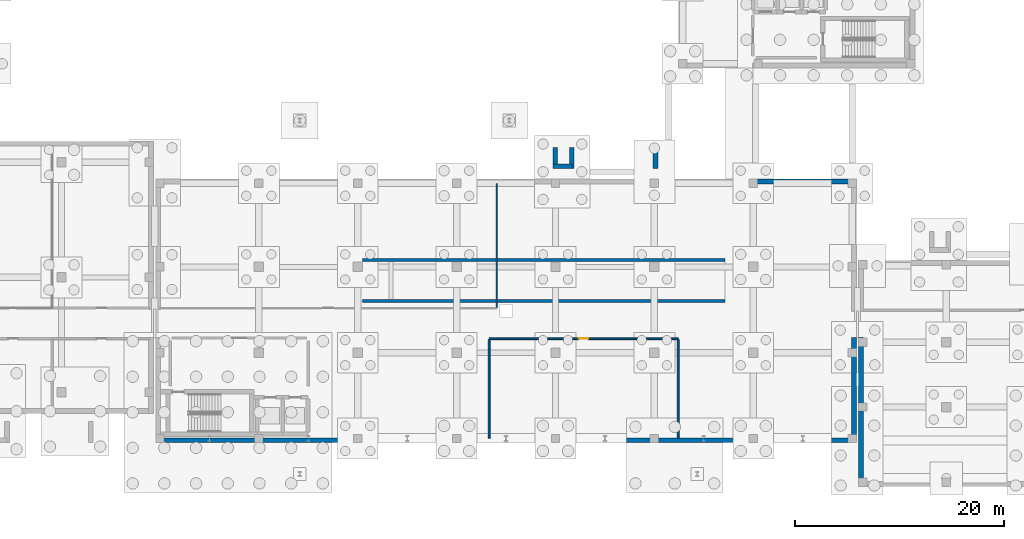
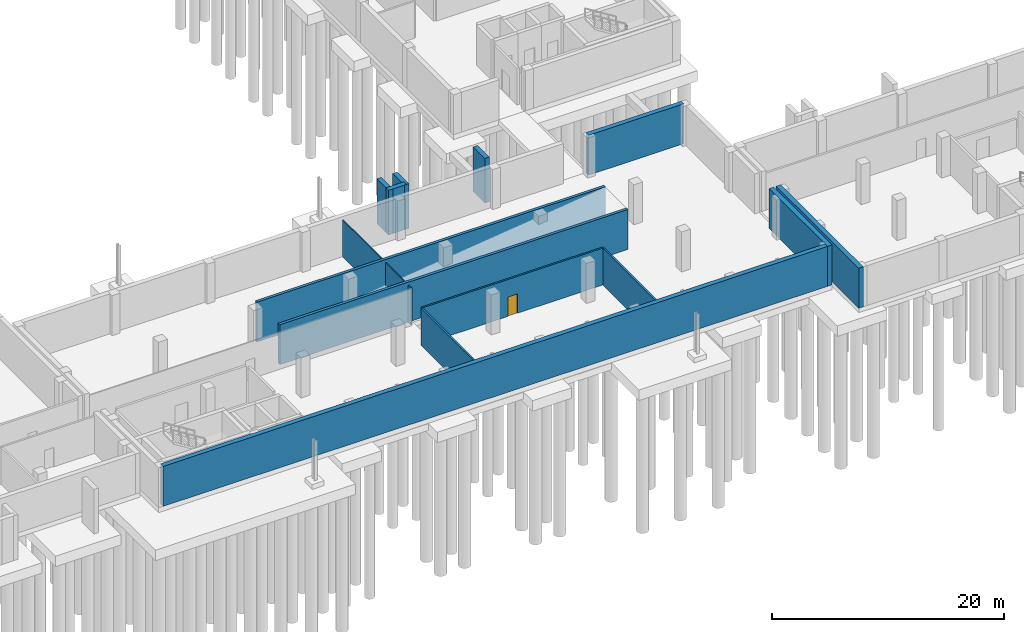
# One storey, part 17 of 31: 14 walls, 1 door, 1 opening.
"""IFC4 building model written with IfcOpenShell, lengths in metres."""

from ifc_helpers import new_model, si_unit, direction, frame, frame_2d, origin, place, context, subcontext, project, spatial, rectangle, extrude, material, layer, layer_set, type_object, element, fill, save


model = new_model("IFC4")

# Units and contexts
model_context = context("Model", 3, precision=1e-05, world=origin(), true_north=direction((0.0, 1.0)))
body_context = subcontext(model_context, "Body", "Model", "MODEL_VIEW")
ifc_project = project(units=[si_unit("LENGTHUNIT", "METRE"), si_unit("AREAUNIT", "SQUARE_METRE"), si_unit("VOLUMEUNIT", "CUBIC_METRE"), si_unit("PLANEANGLEUNIT", "RADIAN"), si_unit("MASSUNIT", "GRAM", prefix="KILO")], contexts=[model_context])

# Site, building, storey
site_placement = place(None, origin())
site = spatial("IfcSite", under=ifc_project, at=site_placement, CompositionType="ELEMENT")
building_placement = place(site_placement, origin())
building = spatial("IfcBuilding", under=site, at=building_placement, Name="Qalavern Law Courts", CompositionType="ELEMENT")
storey_placement = place(building_placement, frame((0.0, 0.0, -8.39990234375)))
storey = spatial("IfcBuildingStorey", under=building, at=storey_placement, Name="B2", CompositionType="ELEMENT", Elevation=-8.39990234375)

# Walls
ifc_material_1 = material(Name="Concrete C35/45", Category="concrete")
ifc_layer_1 = layer(ifc_material_1, 0.4599609375)
ifc_layer_set_1 = layer_set([ifc_layer_1], Name="Concrete C35/45")
wall_type_1 = type_object("IfcWallType", Name="ENV-EW-RET460", PredefinedType="SOLIDWALL", material=ifc_layer_set_1)
wall_1_placement = place(storey_placement, frame((34.675048828125, 5.429931640625, 0.0), z_axis=(0.0, 0.0, 1.0), x_axis=(1.0, 0.0, 0.0)))
element("IfcWall", 1, at=wall_1_placement, inside=storey, type_object=wall_type_1, Name="V2 basement retaining wall B2 south", PredefinedType="SOLIDWALL", context=body_context, shape_type="SweptSolid", body=[
    extrude(rectangle(XDim=66.070068359375, YDim=0.4599609375, at=frame_2d((33.03515625, 0.0))), origin(), (0.0, 0.0, 1.0), 4.199951171875),
])
wall_2_placement = place(storey_placement, frame((100.969970703125, 5.199951171875, 0.0), z_axis=(0.0, 0.0, 1.0), x_axis=(0.0, 1.0, 0.0)))
element("IfcWall", 2, at=wall_2_placement, inside=storey, type_object=wall_type_1, Name="V2 basement retaining wall B2 east", PredefinedType="SOLIDWALL", context=body_context, shape_type="SweptSolid", body=[
    extrude(rectangle(XDim=10.050048828125, YDim=0.4599609375, at=frame_2d((5.02490234375, 0.0))), origin(), (0.0, 0.0, 1.0), 4.199951171875),
])
wall_3_placement = place(storey_placement, frame((100.7451171875, 30.169921875, 0.0), z_axis=(0.0, 0.0, 1.0), x_axis=(-1.0, 0.0, 0.0)))
element("IfcWall", 3, at=wall_3_placement, inside=storey, type_object=wall_type_1, Name="V2 basement retaining wall B2 north", PredefinedType="SOLIDWALL", context=body_context, shape_type="SweptSolid", body=[
    extrude(rectangle(XDim=9.4951171875, YDim=0.4599609375, at=frame_2d((4.74755859375, 0.0))), origin(), (0.0, 0.0, 1.0), 4.199951171875),
])
wall_4_placement = place(storey_placement, frame((101.64990234375, 15.25, 0.0), z_axis=(0.0, 0.0, 1.0), x_axis=(0.0, -1.0, 0.0)))
element("IfcWall", 4, at=wall_4_placement, inside=storey, type_object=wall_type_1, Name="V6 basement retaining wall B2 west", PredefinedType="SOLIDWALL", context=body_context, shape_type="SweptSolid", body=[
    extrude(rectangle(XDim=14.25, YDim=0.4599609375, at=frame_2d((7.125, 0.0))), origin(), (0.0, 0.0, 1.0), 4.199951171875),
])
ifc_material_2 = material(Name="Gypsum stud partition")
ifc_layer_2 = layer(ifc_material_2, 0.112060546875)
ifc_layer_set_2 = layer_set([ifc_layer_2], Name="Gypsum stud partition")
wall_type_2 = type_object("IfcWallType", Name="INT-PW-112", PredefinedType="PARTITIONING", material=ifc_layer_set_2)
wall_5_placement = place(storey_placement, frame((66.824951171875, 18.135986328125, 0.0), z_axis=(0.0, 0.0, 1.0), x_axis=(0.0, 1.0, 0.0)))
element("IfcWall", 5, at=wall_5_placement, inside=storey, type_object=wall_type_2, Name="Accessible WC cross partition B2 east", PredefinedType="PARTITIONING", context=body_context, shape_type="SweptSolid", body=[
    extrude(rectangle(XDim=11.823974609375, YDim=0.112060546875, at=frame_2d((5.912109375, 0.0))), origin(), (0.0, 0.0, 1.0), 3.8798828125),
])

# Wall, opening, door
ifc_material_3 = material(Name="Gypsum acoustic stud partition")
ifc_layer_3 = layer(ifc_material_3, 0.174072265625)
ifc_layer_set_3 = layer_set([ifc_layer_3], Name="Gypsum acoustic stud partition")
wall_type_3 = type_object("IfcWallType", Name="INT-PW-174", PredefinedType="PARTITIONING", material=ifc_layer_set_3)
wall_6_placement = place(storey_placement, frame((66.087890625, 15.139892578125, 0.0), z_axis=(0.0, 0.0, 1.0), x_axis=(1.0, 0.0, 0.0)))
wall_6 = element("IfcWall", 6, at=wall_6_placement, inside=storey, type_object=wall_type_3, Name="Central Chiller and Heating Plant corridor partition B2", PredefinedType="PARTITIONING", context=body_context, shape_type="SweptSolid", body=[
    extrude(rectangle(XDim=18.071044921875, YDim=0.174072265625, at=frame_2d((9.03564453125, 0.0))), origin(), (0.0, 0.0, 1.0), 3.8798828125),
])
opening_placement = place(wall_6_placement, frame((8.58056640625, 0.0, 0.0)))
opening = element("IfcOpeningElement", 7, at=opening_placement, cuts=wall_6, Name="Opening B2-D152", PredefinedType="OPENING", context=body_context, shape_type="SweptSolid", body=[
    extrude(rectangle(XDim=0.909912109375, YDim=2.0400390625, at=frame_2d((0.455078125, 1.02001953125))), frame((0.0, 0.10205078125, 0.0), z_axis=(0.0, -1.0, 0.0), x_axis=(1.0, 0.0, 0.0)), (0.0, 0.0, 1.0), 0.203857421875),
])
ifc_material_4 = material(Name="Steel MEP Plant Room door", Category="steel")
door_type = type_object("IfcDoorType", Name="INT-ID-910x2040", OperationType="NOTDEFINED", PredefinedType="DOOR", material=ifc_material_4)
door_placement = place(opening_placement, frame((0.909912109375, 0.0, 0.0), z_axis=(0.0, 0.0, 1.0), x_axis=(-1.0, 0.0, 0.0)))
door = element("IfcDoor", 8, at=door_placement, inside=storey, type_object=door_type, Name="Central Chiller and Heating Plant door B2", OperationType="SINGLE_SWING_LEFT", OverallHeight=2.0400390625, OverallWidth=0.909912109375, PredefinedType="DOOR", context=body_context, shape_type="SweptSolid", body=[
    extrude(rectangle(XDim=0.909912109375, YDim=2.0400390625, at=frame_2d((0.455078125, 1.02001953125))), frame((0.0, 0.02490234375, 0.0), z_axis=(0.0, -1.0, 0.0), x_axis=(1.0, 0.0, 0.0)), (0.0, 0.0, 1.0), 0.050048828125),
])
fill(opening, door)

# Walls
for number, where, z_axis, x_axis, name in (
    (9, (66.087890625, 5.639892578125, 0.0), (0.0, 0.0, 1.0), (0.0, 1.0, 0.0), "Central Chiller and Heating Plant cross partition B2 west"),
    (10, (84.158935546875, 5.639892578125, 0.0), (0.0, 0.0, 1.0), (0.0, 1.0, 0.0), "Central Chiller and Heating Plant cross partition B2 east"),
):
    element("IfcWall", number, at=place(storey_placement, frame(where, z_axis=z_axis, x_axis=x_axis)), inside=storey, type_object=wall_type_3, Name=name, PredefinedType="PARTITIONING", context=body_context, shape_type="SweptSolid", body=[
        extrude(rectangle(XDim=9.39306640625, YDim=0.174072265625, at=frame_2d((4.696533203125, 0.0))), origin(), (0.0, 0.0, 1.0), 3.8798828125),
    ])
ifc_material_5 = material(Name="Concrete C40/50", Category="concrete")
ifc_layer_4 = layer(ifc_material_5, 0.280029296875)
ifc_layer_set_4 = layer_set([ifc_layer_4], Name="Concrete C40/50")
wall_type_4 = type_object("IfcWallType", Name="INT-RMP-280", PredefinedType="SOLIDWALL", material=ifc_layer_set_4)
for number, where, z_axis, x_axis, name in (
    (11, (54.0, 18.739990234375, 0.0), (0.0, 0.0, 1.0), (1.0, 0.0, 0.0), "Car Park Vehicle Ramp VG-01 Lower enclosure wall B2-1"),
    (12, (54.0, 22.659912109375, 0.0), (0.0, 0.0, 1.0), (1.0, 0.0, 0.0), "Car Park Vehicle Ramp VG-01 Lower enclosure wall B2-2"),
):
    element("IfcWall", number, at=place(storey_placement, frame(where, z_axis=z_axis, x_axis=x_axis)), inside=storey, type_object=wall_type_4, Name=name, PredefinedType="SOLIDWALL", context=body_context, shape_type="SweptSolid", body=[
        extrude(rectangle(XDim=34.64990234375, YDim=0.280029296875, at=frame_2d((17.324951171875, 0.0))), origin(), (0.0, 0.0, 1.0), 4.199951171875),
    ])
ifc_layer_5 = layer(ifc_material_1, 0.449951171875)
ifc_layer_set_5 = layer_set([ifc_layer_5], Name="Concrete C35/45")
wall_type_5 = type_object("IfcWallType", Name="STR-ABUT-450", PredefinedType="SOLIDWALL", material=ifc_layer_set_5)
for number, where, z_axis, x_axis, name in (
    (13, (72.425048828125, 31.39990234375, -0.5), (0.0, 0.0, 1.0), (0.0, 1.0, 0.0), "Pedestrian ramp 3 foundation abutment wall 1 B2"),
    (14, (74.0, 31.39990234375, -0.5), (0.0, 0.0, 1.0), (0.0, 1.0, 0.0), "Pedestrian ramp 3 foundation abutment wall 2 B2"),
    (15, (82.0, 31.39990234375, -0.5), (0.0, 0.0, 1.0), (0.0, 1.0, 0.0), "Pedestrian ramp 3 foundation abutment wall 3 B2"),
):
    element("IfcWall", number, at=place(storey_placement, frame(where, z_axis=z_axis, x_axis=x_axis)), inside=storey, type_object=wall_type_5, Name=name, PredefinedType="SOLIDWALL", context=body_context, shape_type="SweptSolid", body=[
        extrude(rectangle(XDim=2.0, YDim=0.449951171875, at=frame_2d((1.0, 0.0))), origin(), (0.0, 0.0, 1.0), 4.699951171875),
    ])
wall_7_placement = place(storey_placement, frame((72.199951171875, 31.625, -0.5), z_axis=(0.0, 0.0, 1.0), x_axis=(1.0, 0.0, 0.0)))
element("IfcWall", 16, at=wall_7_placement, inside=storey, type_object=wall_type_5, Name="Pedestrian ramp 3 landing side wall B2", PredefinedType="SOLIDWALL", context=body_context, shape_type="SweptSolid", body=[
    extrude(rectangle(XDim=1.800048828125, YDim=0.449951171875, at=frame_2d((0.89990234375, 0.0))), origin(), (0.0, 0.0, 1.0), 4.699951171875),
])

save(model, "model.ifc")
